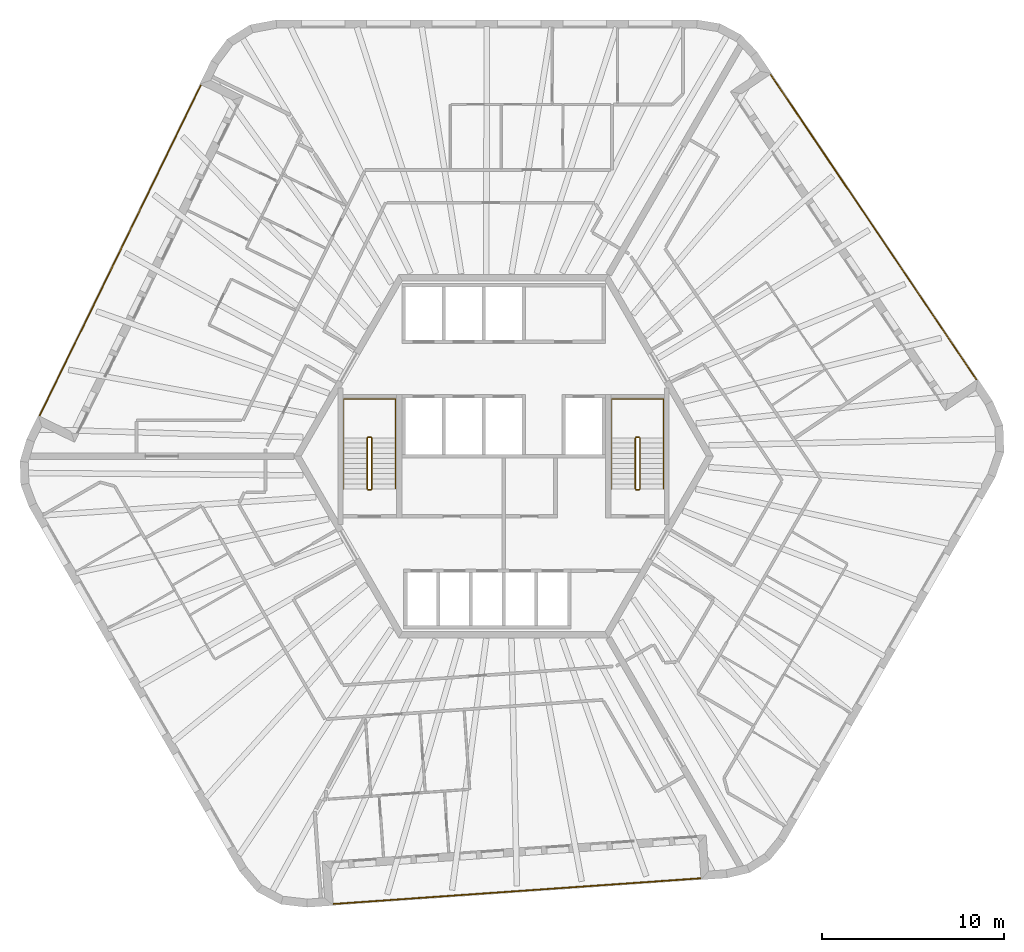
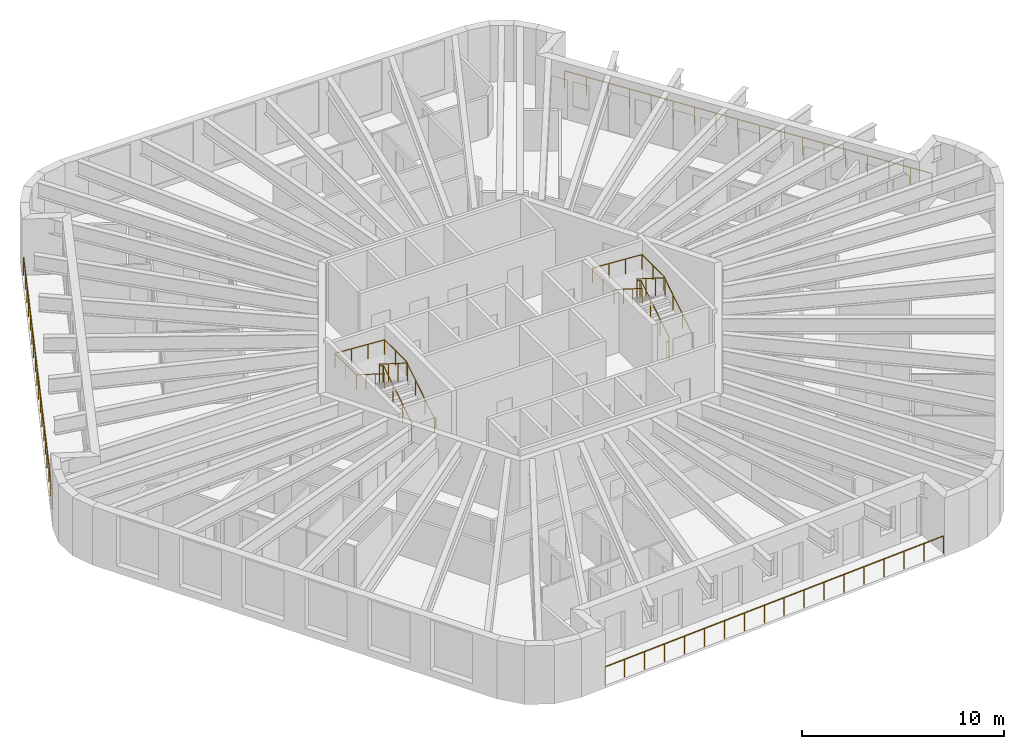
# One storey, part 11 of 11: 7 railings.
"""IFC4 building model written with IfcOpenShell, lengths in metres."""

from ifc_helpers import new_model, si_unit, direction, frame, origin, origin_2d, place, context, subcontext, project, spatial, circle, extrude, material, type_object, element, save


model = new_model("IFC4")

# Units and contexts
model_context = context("Model", 3, precision=1e-05, world=origin(), true_north=direction((0.0, 1.0)))
body_context = subcontext(model_context, "Body", "Model", "MODEL_VIEW")
ifc_project = project(units=[si_unit("LENGTHUNIT", "METRE"), si_unit("AREAUNIT", "SQUARE_METRE"), si_unit("VOLUMEUNIT", "CUBIC_METRE"), si_unit("PLANEANGLEUNIT", "RADIAN"), si_unit("MASSUNIT", "GRAM", prefix="KILO")], contexts=[model_context])

# Site, building, storey
site_placement = place(None, origin())
site = spatial("IfcSite", under=ifc_project, at=site_placement, CompositionType="ELEMENT")
building_placement = place(site_placement, origin())
building = spatial("IfcBuilding", under=site, at=building_placement, Name="Tarnside Tower", CompositionType="ELEMENT")
storey_placement = place(building_placement, frame((0.0, 0.0, 372.89990234375)))
storey = spatial("IfcBuildingStorey", under=building, at=storey_placement, Name="L90", CompositionType="ELEMENT", Elevation=372.89990234375)

# Railings
ifc_material_1 = material(Name="Toughened glass", Category="glass")
railing_type_1 = type_object("IfcRailingType", Name="Glass guard 1100", PredefinedType="GUARDRAIL", material=ifc_material_1)
railing_1_placement = place(storey_placement, frame((-16.645263671875, 20.437744140625, 0.0)))
element("IfcRailing", 1, at=railing_1_placement, inside=storey, type_object=railing_type_1, Name="Loggia guard L90 F2", PredefinedType="GUARDRAIL", context=body_context, shape_type="SweptSolid", body=[
    extrude(circle(Radius=0.030029296875, at=origin_2d()), frame((0.0, 0.0, 1.070068359375), z_axis=(-0.438370743641, -0.898794242928, 0.0), x_axis=(0.898794242928, -0.438370743641, 0.0)), (0.0, 0.0, 1.0), 20.28173828125),
    extrude(circle(Radius=0.02490234375, at=origin_2d()), origin(), (0.0, 0.0, 1.0), 1.0400390625),
    extrude(circle(Radius=0.02490234375, at=origin_2d()), frame((-0.52294921875, -1.072265625, 0.0)), (0.0, 0.0, 1.0), 1.0400390625),
    extrude(circle(Radius=0.02490234375, at=origin_2d()), frame((-1.0458984375, -2.14453125, 0.0)), (0.0, 0.0, 1.0), 1.0400390625),
    extrude(circle(Radius=0.02490234375, at=origin_2d()), frame((-1.569091796875, -3.216796875, 0.0)), (0.0, 0.0, 1.0), 1.0400390625),
    extrude(circle(Radius=0.02490234375, at=origin_2d()), frame((-2.092041015625, -4.2890625, 0.0)), (0.0, 0.0, 1.0), 1.0400390625),
    extrude(circle(Radius=0.02490234375, at=origin_2d()), frame((-2.614990234375, -5.361572265625, 0.0)), (0.0, 0.0, 1.0), 1.0400390625),
    extrude(circle(Radius=0.02490234375, at=origin_2d()), frame((-3.137939453125, -6.433837890625, 0.0)), (0.0, 0.0, 1.0), 1.0400390625),
    extrude(circle(Radius=0.02490234375, at=origin_2d()), frame((-3.660888671875, -7.506103515625, 0.0)), (0.0, 0.0, 1.0), 1.0400390625),
    extrude(circle(Radius=0.02490234375, at=origin_2d()), frame((-4.183837890625, -8.578369140625, 0.0)), (0.0, 0.0, 1.0), 1.0400390625),
    extrude(circle(Radius=0.02490234375, at=origin_2d()), frame((-4.70703125, -9.650634765625, 0.0)), (0.0, 0.0, 1.0), 1.0400390625),
    extrude(circle(Radius=0.02490234375, at=origin_2d()), frame((-5.22998046875, -10.722900390625, 0.0)), (0.0, 0.0, 1.0), 1.0400390625),
    extrude(circle(Radius=0.02490234375, at=origin_2d()), frame((-5.7529296875, -11.795166015625, 0.0)), (0.0, 0.0, 1.0), 1.0400390625),
    extrude(circle(Radius=0.02490234375, at=origin_2d()), frame((-6.27587890625, -12.867431640625, 0.0)), (0.0, 0.0, 1.0), 1.0400390625),
    extrude(circle(Radius=0.02490234375, at=origin_2d()), frame((-6.798828125, -13.93994140625, 0.0)), (0.0, 0.0, 1.0), 1.0400390625),
    extrude(circle(Radius=0.02490234375, at=origin_2d()), frame((-7.32177734375, -15.01220703125, 0.0)), (0.0, 0.0, 1.0), 1.0400390625),
    extrude(circle(Radius=0.02490234375, at=origin_2d()), frame((-7.844970703125, -16.08447265625, 0.0)), (0.0, 0.0, 1.0), 1.0400390625),
    extrude(circle(Radius=0.02490234375, at=origin_2d()), frame((-8.367919921875, -17.15673828125, 0.0)), (0.0, 0.0, 1.0), 1.0400390625),
    extrude(circle(Radius=0.02490234375, at=origin_2d()), frame((-8.890869140625, -18.22900390625, 0.0)), (0.0, 0.0, 1.0), 1.0400390625),
])
railing_2_placement = place(storey_placement, frame((-9.376953125, -24.634033203125, 0.0)))
element("IfcRailing", 2, at=railing_2_placement, inside=storey, type_object=railing_type_1, Name="Loggia guard L90 F4", PredefinedType="GUARDRAIL", context=body_context, shape_type="SweptSolid", body=[
    extrude(circle(Radius=0.030029296875, at=origin_2d()), frame((0.0, 0.0, 1.070068359375), z_axis=(0.997563970542, 0.069757613753, 0.0), x_axis=(-0.069757613753, 0.997563970542, 0.0)), (0.0, 0.0, 1.0), 20.281494140625),
    extrude(circle(Radius=0.02490234375, at=origin_2d()), origin(), (0.0, 0.0, 1.0), 1.0400390625),
    extrude(circle(Radius=0.02490234375, at=origin_2d()), frame((1.190185546875, 0.083251953125, 0.0)), (0.0, 0.0, 1.0), 1.0400390625),
    extrude(circle(Radius=0.02490234375, at=origin_2d()), frame((2.38037109375, 0.16650390625, 0.0)), (0.0, 0.0, 1.0), 1.0400390625),
    extrude(circle(Radius=0.02490234375, at=origin_2d()), frame((3.5703125, 0.249755859375, 0.0)), (0.0, 0.0, 1.0), 1.0400390625),
    extrude(circle(Radius=0.02490234375, at=origin_2d()), frame((4.760498046875, 0.3330078125, 0.0)), (0.0, 0.0, 1.0), 1.0400390625),
    extrude(circle(Radius=0.02490234375, at=origin_2d()), frame((5.95068359375, 0.416015625, 0.0)), (0.0, 0.0, 1.0), 1.0400390625),
    extrude(circle(Radius=0.02490234375, at=origin_2d()), frame((7.140869140625, 0.499267578125, 0.0)), (0.0, 0.0, 1.0), 1.0400390625),
    extrude(circle(Radius=0.02490234375, at=origin_2d()), frame((8.330810546875, 0.58251953125, 0.0)), (0.0, 0.0, 1.0), 1.0400390625),
    extrude(circle(Radius=0.02490234375, at=origin_2d()), frame((9.52099609375, 0.665771484375, 0.0)), (0.0, 0.0, 1.0), 1.0400390625),
    extrude(circle(Radius=0.02490234375, at=origin_2d()), frame((10.711181640625, 0.7490234375, 0.0)), (0.0, 0.0, 1.0), 1.0400390625),
    extrude(circle(Radius=0.02490234375, at=origin_2d()), frame((11.9013671875, 0.832275390625, 0.0)), (0.0, 0.0, 1.0), 1.0400390625),
    extrude(circle(Radius=0.02490234375, at=origin_2d()), frame((13.09130859375, 0.91552734375, 0.0)), (0.0, 0.0, 1.0), 1.0400390625),
    extrude(circle(Radius=0.02490234375, at=origin_2d()), frame((14.281494140625, 0.998779296875, 0.0)), (0.0, 0.0, 1.0), 1.0400390625),
    extrude(circle(Radius=0.02490234375, at=origin_2d()), frame((15.4716796875, 1.081787109375, 0.0)), (0.0, 0.0, 1.0), 1.0400390625),
    extrude(circle(Radius=0.02490234375, at=origin_2d()), frame((16.661865234375, 1.1650390625, 0.0)), (0.0, 0.0, 1.0), 1.0400390625),
    extrude(circle(Radius=0.02490234375, at=origin_2d()), frame((17.851806640625, 1.248291015625, 0.0)), (0.0, 0.0, 1.0), 1.0400390625),
    extrude(circle(Radius=0.02490234375, at=origin_2d()), frame((19.0419921875, 1.33154296875, 0.0)), (0.0, 0.0, 1.0), 1.0400390625),
    extrude(circle(Radius=0.02490234375, at=origin_2d()), frame((20.232177734375, 1.414794921875, 0.0)), (0.0, 0.0, 1.0), 1.0400390625),
])
railing_3_placement = place(storey_placement, frame((26.022216796875, 4.196533203125, 0.0)))
element("IfcRailing", 3, at=railing_3_placement, inside=storey, type_object=railing_type_1, Name="Loggia guard L90 F6", PredefinedType="GUARDRAIL", context=body_context, shape_type="SweptSolid", body=[
    extrude(circle(Radius=0.030029296875, at=origin_2d()), frame((0.0, 0.0, 1.070068359375), z_axis=(-0.559192274164, 0.829037997028, 0.0), x_axis=(-0.829037997028, -0.559192274164, 0.0)), (0.0, 0.0, 1.0), 20.281494140625),
    extrude(circle(Radius=0.02490234375, at=origin_2d()), origin(), (0.0, 0.0, 1.0), 1.0400390625),
    extrude(circle(Radius=0.02490234375, at=origin_2d()), frame((-0.667236328125, 0.989013671875, 0.0)), (0.0, 0.0, 1.0), 1.0400390625),
    extrude(circle(Radius=0.02490234375, at=origin_2d()), frame((-1.334228515625, 1.97802734375, 0.0)), (0.0, 0.0, 1.0), 1.0400390625),
    extrude(circle(Radius=0.02490234375, at=origin_2d()), frame((-2.00146484375, 2.96728515625, 0.0)), (0.0, 0.0, 1.0), 1.0400390625),
    extrude(circle(Radius=0.02490234375, at=origin_2d()), frame((-2.66845703125, 3.956298828125, 0.0)), (0.0, 0.0, 1.0), 1.0400390625),
    extrude(circle(Radius=0.02490234375, at=origin_2d()), frame((-3.335693359375, 4.9453125, 0.0)), (0.0, 0.0, 1.0), 1.0400390625),
    extrude(circle(Radius=0.02490234375, at=origin_2d()), frame((-4.0029296875, 5.934326171875, 0.0)), (0.0, 0.0, 1.0), 1.0400390625),
    extrude(circle(Radius=0.02490234375, at=origin_2d()), frame((-4.669921875, 6.923583984375, 0.0)), (0.0, 0.0, 1.0), 1.0400390625),
    extrude(circle(Radius=0.02490234375, at=origin_2d()), frame((-5.337158203125, 7.91259765625, 0.0)), (0.0, 0.0, 1.0), 1.0400390625),
    extrude(circle(Radius=0.02490234375, at=origin_2d()), frame((-6.004150390625, 8.901611328125, 0.0)), (0.0, 0.0, 1.0), 1.0400390625),
    extrude(circle(Radius=0.02490234375, at=origin_2d()), frame((-6.67138671875, 9.890625, 0.0)), (0.0, 0.0, 1.0), 1.0400390625),
    extrude(circle(Radius=0.02490234375, at=origin_2d()), frame((-7.33837890625, 10.8798828125, 0.0)), (0.0, 0.0, 1.0), 1.0400390625),
    extrude(circle(Radius=0.02490234375, at=origin_2d()), frame((-8.005615234375, 11.868896484375, 0.0)), (0.0, 0.0, 1.0), 1.0400390625),
    extrude(circle(Radius=0.02490234375, at=origin_2d()), frame((-8.6728515625, 12.85791015625, 0.0)), (0.0, 0.0, 1.0), 1.0400390625),
    extrude(circle(Radius=0.02490234375, at=origin_2d()), frame((-9.33984375, 13.846923828125, 0.0)), (0.0, 0.0, 1.0), 1.0400390625),
    extrude(circle(Radius=0.02490234375, at=origin_2d()), frame((-10.007080078125, 14.836181640625, 0.0)), (0.0, 0.0, 1.0), 1.0400390625),
    extrude(circle(Radius=0.02490234375, at=origin_2d()), frame((-10.674072265625, 15.8251953125, 0.0)), (0.0, 0.0, 1.0), 1.0400390625),
    extrude(circle(Radius=0.02490234375, at=origin_2d()), frame((-11.34130859375, 16.814208984375, 0.0)), (0.0, 0.0, 1.0), 1.0400390625),
])
ifc_material_2 = material(Name="Stainless steel", Category="steel")
railing_type_2 = type_object("IfcRailingType", Name="Stair guard 1100", PredefinedType="GUARDRAIL", material=ifc_material_2)
railing_4_placement = place(storey_placement, frame((7.300048828125, -1.85009765625, 0.0)))
element("IfcRailing", 4, at=railing_4_placement, inside=storey, type_object=railing_type_2, Name="L90 ST1 stair guard 1", PredefinedType="GUARDRAIL", context=body_context, shape_type="SweptSolid", body=[
    extrude(circle(Radius=0.02392578125, at=origin_2d()), frame((0.0, 0.0, 1.076171875), z_axis=(1.0, 0.0, 0.0), x_axis=(0.0, 1.0, 0.0)), (0.0, 0.0, 1.0), 0.14990234375),
    extrude(circle(Radius=0.02392578125, at=origin_2d()), frame((0.14990234375, 0.0, 1.076171875), z_axis=(0.261922500866, 0.261922500866, 0.928866625022), x_axis=(-0.707106781187, 0.707106781187, 0.0)), (0.0, 0.0, 1.0), 0.191162109375),
    extrude(circle(Radius=0.02392578125, at=origin_2d()), frame((0.199951171875, 0.050048828125, 1.25341796875), z_axis=(0.0, 0.844908973607, 0.534910110503), x_axis=(-1.0, 0.0, 0.0)), (0.0, 0.0, 1.0), 3.31396484375),
    extrude(circle(Radius=0.02392578125, at=origin_2d()), frame((0.199951171875, 2.85009765625, 3.0263671875), z_axis=(-0.707106781187, 0.707106781187, 0.0), x_axis=(-0.707106781187, -0.707106781187, 0.0)), (0.0, 0.0, 1.0), 0.07080078125),
    extrude(circle(Radius=0.02392578125, at=origin_2d()), frame((0.14990234375, 2.900146484375, 3.0263671875), z_axis=(-1.0, 0.0, 0.0), x_axis=(0.0, -1.0, 0.0)), (0.0, 0.0, 1.0), 0.14990234375),
    extrude(circle(Radius=0.02392578125, at=origin_2d()), frame((0.0, 2.900146484375, 3.0263671875), z_axis=(-0.262233686654, -0.262233686654, 0.928691007369), x_axis=(0.707106781187, -0.707106781187, 0.0)), (0.0, 0.0, 1.0), 0.19091796875),
    extrude(circle(Radius=0.02392578125, at=origin_2d()), frame((-0.050048828125, 2.85009765625, 3.20361328125), z_axis=(0.0, -0.844908973607, 0.534910110503), x_axis=(1.0, 0.0, 0.0)), (0.0, 0.0, 1.0), 3.31396484375),
    extrude(circle(Radius=0.02099609375, at=origin_2d()), origin(), (0.0, 0.0, 1.0), 1.052001953125),
    extrude(circle(Radius=0.02099609375, at=origin_2d()), frame((0.14990234375, 0.0, 0.0)), (0.0, 0.0, 1.0), 1.052001953125),
    extrude(circle(Radius=0.02099609375, at=origin_2d()), frame((0.199951171875, 0.050048828125, 0.177490234375)), (0.0, 0.0, 1.0), 1.052001953125),
    extrude(circle(Radius=0.02099609375, at=origin_2d()), frame((0.199951171875, 0.9833984375, 0.768310546875)), (0.0, 0.0, 1.0), 1.052001953125),
    extrude(circle(Radius=0.02099609375, at=origin_2d()), frame((0.199951171875, 1.916748046875, 1.359375)), (0.0, 0.0, 1.0), 1.052001953125),
    extrude(circle(Radius=0.02099609375, at=origin_2d()), frame((0.199951171875, 2.85009765625, 1.9501953125)), (0.0, 0.0, 1.0), 1.052001953125),
    extrude(circle(Radius=0.02099609375, at=origin_2d()), frame((0.14990234375, 2.900146484375, 1.9501953125)), (0.0, 0.0, 1.0), 1.052001953125),
    extrude(circle(Radius=0.02099609375, at=origin_2d()), frame((0.0, 2.900146484375, 1.9501953125)), (0.0, 0.0, 1.0), 1.052001953125),
    extrude(circle(Radius=0.02099609375, at=origin_2d()), frame((-0.050048828125, 2.85009765625, 2.12744140625)), (0.0, 0.0, 1.0), 1.052001953125),
    extrude(circle(Radius=0.02099609375, at=origin_2d()), frame((-0.050048828125, 1.916748046875, 2.71826171875)), (0.0, 0.0, 1.0), 1.052001953125),
    extrude(circle(Radius=0.02099609375, at=origin_2d()), frame((-0.050048828125, 0.9833984375, 3.309326171875)), (0.0, 0.0, 1.0), 1.052001953125),
    extrude(circle(Radius=0.02099609375, at=origin_2d()), frame((-0.050048828125, 0.050048828125, 3.900146484375)), (0.0, 0.0, 1.0), 1.052001953125),
])
railing_5_placement = place(storey_placement, frame((-7.449951171875, -1.85009765625, 0.0)))
element("IfcRailing", 5, at=railing_5_placement, inside=storey, type_object=railing_type_2, Name="L90 ST2 stair guard 1", PredefinedType="GUARDRAIL", context=body_context, shape_type="SweptSolid", body=[
    extrude(circle(Radius=0.02392578125, at=origin_2d()), frame((0.0, 0.0, 1.076171875), z_axis=(1.0, 0.0, 0.0), x_axis=(0.0, 1.0, 0.0)), (0.0, 0.0, 1.0), 0.14990234375),
    extrude(circle(Radius=0.02392578125, at=origin_2d()), frame((0.14990234375, 0.0, 1.076171875), z_axis=(0.261922500866, 0.261922500866, 0.928866625022), x_axis=(-0.707106781187, 0.707106781187, 0.0)), (0.0, 0.0, 1.0), 0.191162109375),
    extrude(circle(Radius=0.02392578125, at=origin_2d()), frame((0.199951171875, 0.050048828125, 1.25341796875), z_axis=(0.0, 0.844908973607, 0.534910110503), x_axis=(-1.0, 0.0, 0.0)), (0.0, 0.0, 1.0), 3.31396484375),
    extrude(circle(Radius=0.02392578125, at=origin_2d()), frame((0.199951171875, 2.85009765625, 3.0263671875), z_axis=(-0.707106781187, 0.707106781187, 0.0), x_axis=(-0.707106781187, -0.707106781187, 0.0)), (0.0, 0.0, 1.0), 0.07080078125),
    extrude(circle(Radius=0.02392578125, at=origin_2d()), frame((0.14990234375, 2.900146484375, 3.0263671875), z_axis=(-1.0, 0.0, 0.0), x_axis=(0.0, -1.0, 0.0)), (0.0, 0.0, 1.0), 0.14990234375),
    extrude(circle(Radius=0.02392578125, at=origin_2d()), frame((0.0, 2.900146484375, 3.0263671875), z_axis=(-0.262233686654, -0.262233686654, 0.928691007369), x_axis=(0.707106781187, -0.707106781187, 0.0)), (0.0, 0.0, 1.0), 0.19091796875),
    extrude(circle(Radius=0.02392578125, at=origin_2d()), frame((-0.050048828125, 2.85009765625, 3.20361328125), z_axis=(0.0, -0.844908973607, 0.534910110503), x_axis=(1.0, 0.0, 0.0)), (0.0, 0.0, 1.0), 3.31396484375),
    extrude(circle(Radius=0.02099609375, at=origin_2d()), origin(), (0.0, 0.0, 1.0), 1.052001953125),
    extrude(circle(Radius=0.02099609375, at=origin_2d()), frame((0.14990234375, 0.0, 0.0)), (0.0, 0.0, 1.0), 1.052001953125),
    extrude(circle(Radius=0.02099609375, at=origin_2d()), frame((0.199951171875, 0.050048828125, 0.177490234375)), (0.0, 0.0, 1.0), 1.052001953125),
    extrude(circle(Radius=0.02099609375, at=origin_2d()), frame((0.199951171875, 0.9833984375, 0.768310546875)), (0.0, 0.0, 1.0), 1.052001953125),
    extrude(circle(Radius=0.02099609375, at=origin_2d()), frame((0.199951171875, 1.916748046875, 1.359375)), (0.0, 0.0, 1.0), 1.052001953125),
    extrude(circle(Radius=0.02099609375, at=origin_2d()), frame((0.199951171875, 2.85009765625, 1.9501953125)), (0.0, 0.0, 1.0), 1.052001953125),
    extrude(circle(Radius=0.02099609375, at=origin_2d()), frame((0.14990234375, 2.900146484375, 1.9501953125)), (0.0, 0.0, 1.0), 1.052001953125),
    extrude(circle(Radius=0.02099609375, at=origin_2d()), frame((0.0, 2.900146484375, 1.9501953125)), (0.0, 0.0, 1.0), 1.052001953125),
    extrude(circle(Radius=0.02099609375, at=origin_2d()), frame((-0.050048828125, 2.85009765625, 2.12744140625)), (0.0, 0.0, 1.0), 1.052001953125),
    extrude(circle(Radius=0.02099609375, at=origin_2d()), frame((-0.050048828125, 1.916748046875, 2.71826171875)), (0.0, 0.0, 1.0), 1.052001953125),
    extrude(circle(Radius=0.02099609375, at=origin_2d()), frame((-0.050048828125, 0.9833984375, 3.309326171875)), (0.0, 0.0, 1.0), 1.052001953125),
    extrude(circle(Radius=0.02099609375, at=origin_2d()), frame((-0.050048828125, 0.050048828125, 3.900146484375)), (0.0, 0.0, 1.0), 1.052001953125),
])
railing_type_3 = type_object("IfcRailingType", Name="Stair handrail 900", PredefinedType="HANDRAIL", material=ifc_material_2)
railing_6_placement = place(storey_placement, frame((8.800048828125, -1.800048828125, 0.177490234375)))
element("IfcRailing", 6, at=railing_6_placement, inside=storey, type_object=railing_type_3, Name="L90 ST1 stair handrail 1", PredefinedType="HANDRAIL", context=body_context, shape_type="SweptSolid", body=[
    extrude(circle(Radius=0.02392578125, at=origin_2d()), frame((0.0, 0.0, 0.8857421875), z_axis=(0.0, 0.844908973607, 0.534910110503), x_axis=(-1.0, 0.0, 0.0)), (0.0, 0.0, 1.0), 3.31396484375),
    extrude(circle(Radius=0.02392578125, at=origin_2d()), frame((0.0, 2.800048828125, 2.65869140625), z_axis=(0.0, 1.0, 0.0), x_axis=(-1.0, 0.0, 0.0)), (0.0, 0.0, 1.0), 2.14990234375),
    extrude(circle(Radius=0.02392578125, at=origin_2d()), frame((0.0, 4.949951171875, 2.65869140625), z_axis=(-0.998071825391, 0.0, 0.06206956872), x_axis=(0.0, -1.0, 0.0)), (0.0, 0.0, 1.0), 2.855712890625),
    extrude(circle(Radius=0.02392578125, at=origin_2d()), frame((-2.85009765625, 4.949951171875, 2.8359375), z_axis=(0.0, -1.0, 0.0), x_axis=(1.0, 0.0, 0.0)), (0.0, 0.0, 1.0), 2.14990234375),
    extrude(circle(Radius=0.02392578125, at=origin_2d()), frame((-2.85009765625, 2.800048828125, 2.8359375), z_axis=(0.0, -0.844908973607, 0.534910110503), x_axis=(1.0, 0.0, 0.0)), (0.0, 0.0, 1.0), 3.31396484375),
    extrude(circle(Radius=0.02099609375, at=origin_2d()), origin(), (0.0, 0.0, 1.0), 0.86181640625),
    extrude(circle(Radius=0.02099609375, at=origin_2d()), frame((0.0, 0.933349609375, 0.5908203125)), (0.0, 0.0, 1.0), 0.86181640625),
    extrude(circle(Radius=0.02099609375, at=origin_2d()), frame((0.0, 1.86669921875, 1.181884765625)), (0.0, 0.0, 1.0), 0.86181640625),
    extrude(circle(Radius=0.02099609375, at=origin_2d()), frame((0.0, 2.800048828125, 1.772705078125)), (0.0, 0.0, 1.0), 0.86181640625),
    extrude(circle(Radius=0.02099609375, at=origin_2d()), frame((0.0, 3.875, 1.772705078125)), (0.0, 0.0, 1.0), 0.86181640625),
    extrude(circle(Radius=0.02099609375, at=origin_2d()), frame((0.0, 4.949951171875, 1.772705078125)), (0.0, 0.0, 1.0), 0.86181640625),
    extrude(circle(Radius=0.02099609375, at=origin_2d()), frame((-0.949951171875, 4.949951171875, 1.831787109375)), (0.0, 0.0, 1.0), 0.86181640625),
    extrude(circle(Radius=0.02099609375, at=origin_2d()), frame((-1.900146484375, 4.949951171875, 1.890869140625)), (0.0, 0.0, 1.0), 0.86181640625),
    extrude(circle(Radius=0.02099609375, at=origin_2d()), frame((-2.85009765625, 4.949951171875, 1.949951171875)), (0.0, 0.0, 1.0), 0.86181640625),
    extrude(circle(Radius=0.02099609375, at=origin_2d()), frame((-2.85009765625, 3.875, 1.949951171875)), (0.0, 0.0, 1.0), 0.86181640625),
    extrude(circle(Radius=0.02099609375, at=origin_2d()), frame((-2.85009765625, 2.800048828125, 1.949951171875)), (0.0, 0.0, 1.0), 0.86181640625),
    extrude(circle(Radius=0.02099609375, at=origin_2d()), frame((-2.85009765625, 1.86669921875, 2.540771484375)), (0.0, 0.0, 1.0), 0.86181640625),
    extrude(circle(Radius=0.02099609375, at=origin_2d()), frame((-2.85009765625, 0.933349609375, 3.1318359375)), (0.0, 0.0, 1.0), 0.86181640625),
    extrude(circle(Radius=0.02099609375, at=origin_2d()), frame((-2.85009765625, 0.0, 3.72265625)), (0.0, 0.0, 1.0), 0.86181640625),
])
railing_7_placement = place(storey_placement, frame((-5.949951171875, -1.800048828125, 0.177490234375)))
element("IfcRailing", 7, at=railing_7_placement, inside=storey, type_object=railing_type_3, Name="L90 ST2 stair handrail 1", PredefinedType="HANDRAIL", context=body_context, shape_type="SweptSolid", body=[
    extrude(circle(Radius=0.02392578125, at=origin_2d()), frame((0.0, 0.0, 0.8857421875), z_axis=(0.0, 0.844908973607, 0.534910110503), x_axis=(-1.0, 0.0, 0.0)), (0.0, 0.0, 1.0), 3.31396484375),
    extrude(circle(Radius=0.02392578125, at=origin_2d()), frame((0.0, 2.800048828125, 2.65869140625), z_axis=(0.0, 1.0, 0.0), x_axis=(-1.0, 0.0, 0.0)), (0.0, 0.0, 1.0), 2.14990234375),
    extrude(circle(Radius=0.02392578125, at=origin_2d()), frame((0.0, 4.949951171875, 2.65869140625), z_axis=(-0.998071825391, 0.0, 0.06206956872), x_axis=(0.0, -1.0, 0.0)), (0.0, 0.0, 1.0), 2.855712890625),
    extrude(circle(Radius=0.02392578125, at=origin_2d()), frame((-2.85009765625, 4.949951171875, 2.8359375), z_axis=(0.0, -1.0, 0.0), x_axis=(1.0, 0.0, 0.0)), (0.0, 0.0, 1.0), 2.14990234375),
    extrude(circle(Radius=0.02392578125, at=origin_2d()), frame((-2.85009765625, 2.800048828125, 2.8359375), z_axis=(0.0, -0.844908973607, 0.534910110503), x_axis=(1.0, 0.0, 0.0)), (0.0, 0.0, 1.0), 3.31396484375),
    extrude(circle(Radius=0.02099609375, at=origin_2d()), origin(), (0.0, 0.0, 1.0), 0.86181640625),
    extrude(circle(Radius=0.02099609375, at=origin_2d()), frame((0.0, 0.933349609375, 0.5908203125)), (0.0, 0.0, 1.0), 0.86181640625),
    extrude(circle(Radius=0.02099609375, at=origin_2d()), frame((0.0, 1.86669921875, 1.181884765625)), (0.0, 0.0, 1.0), 0.86181640625),
    extrude(circle(Radius=0.02099609375, at=origin_2d()), frame((0.0, 2.800048828125, 1.772705078125)), (0.0, 0.0, 1.0), 0.86181640625),
    extrude(circle(Radius=0.02099609375, at=origin_2d()), frame((0.0, 3.875, 1.772705078125)), (0.0, 0.0, 1.0), 0.86181640625),
    extrude(circle(Radius=0.02099609375, at=origin_2d()), frame((0.0, 4.949951171875, 1.772705078125)), (0.0, 0.0, 1.0), 0.86181640625),
    extrude(circle(Radius=0.02099609375, at=origin_2d()), frame((-0.949951171875, 4.949951171875, 1.831787109375)), (0.0, 0.0, 1.0), 0.86181640625),
    extrude(circle(Radius=0.02099609375, at=origin_2d()), frame((-1.900146484375, 4.949951171875, 1.890869140625)), (0.0, 0.0, 1.0), 0.86181640625),
    extrude(circle(Radius=0.02099609375, at=origin_2d()), frame((-2.85009765625, 4.949951171875, 1.949951171875)), (0.0, 0.0, 1.0), 0.86181640625),
    extrude(circle(Radius=0.02099609375, at=origin_2d()), frame((-2.85009765625, 3.875, 1.949951171875)), (0.0, 0.0, 1.0), 0.86181640625),
    extrude(circle(Radius=0.02099609375, at=origin_2d()), frame((-2.85009765625, 2.800048828125, 1.949951171875)), (0.0, 0.0, 1.0), 0.86181640625),
    extrude(circle(Radius=0.02099609375, at=origin_2d()), frame((-2.85009765625, 1.86669921875, 2.540771484375)), (0.0, 0.0, 1.0), 0.86181640625),
    extrude(circle(Radius=0.02099609375, at=origin_2d()), frame((-2.85009765625, 0.933349609375, 3.1318359375)), (0.0, 0.0, 1.0), 0.86181640625),
    extrude(circle(Radius=0.02099609375, at=origin_2d()), frame((-2.85009765625, 0.0, 3.72265625)), (0.0, 0.0, 1.0), 0.86181640625),
])

save(model, "model.ifc")
